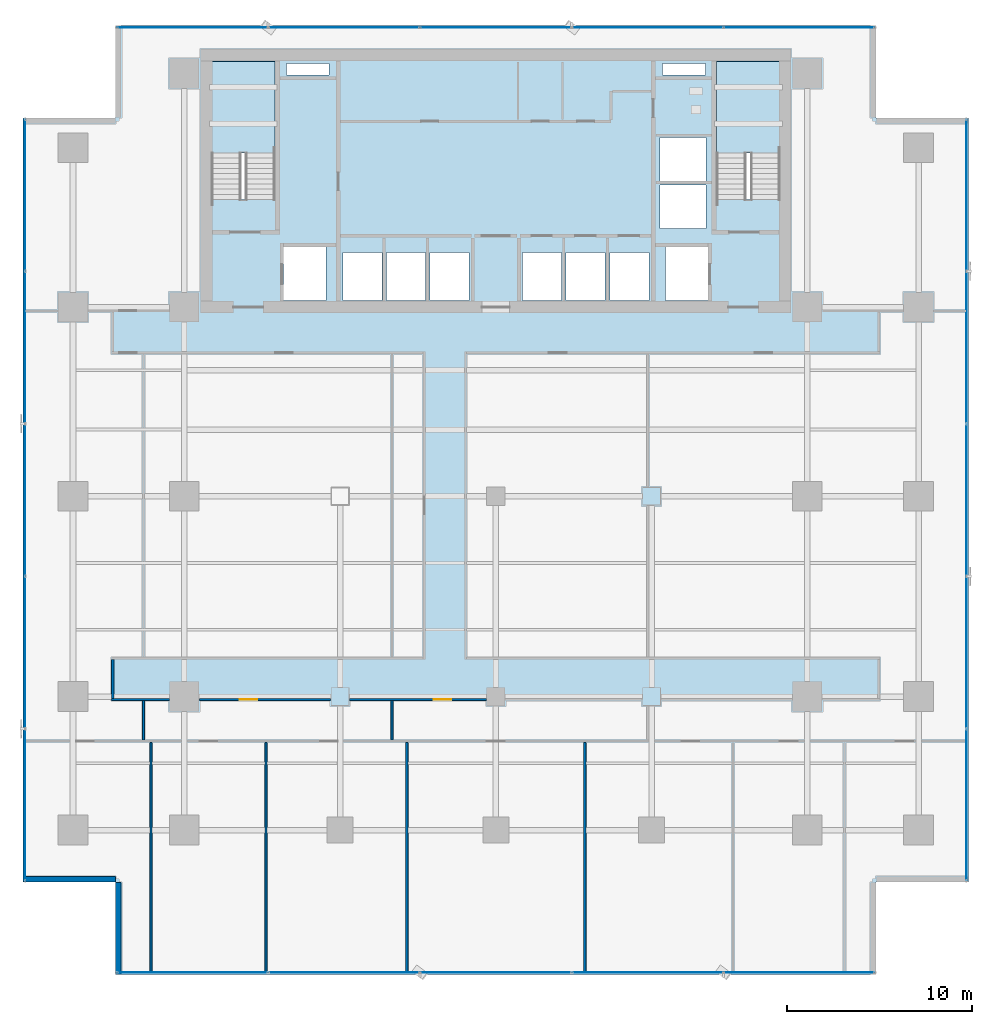
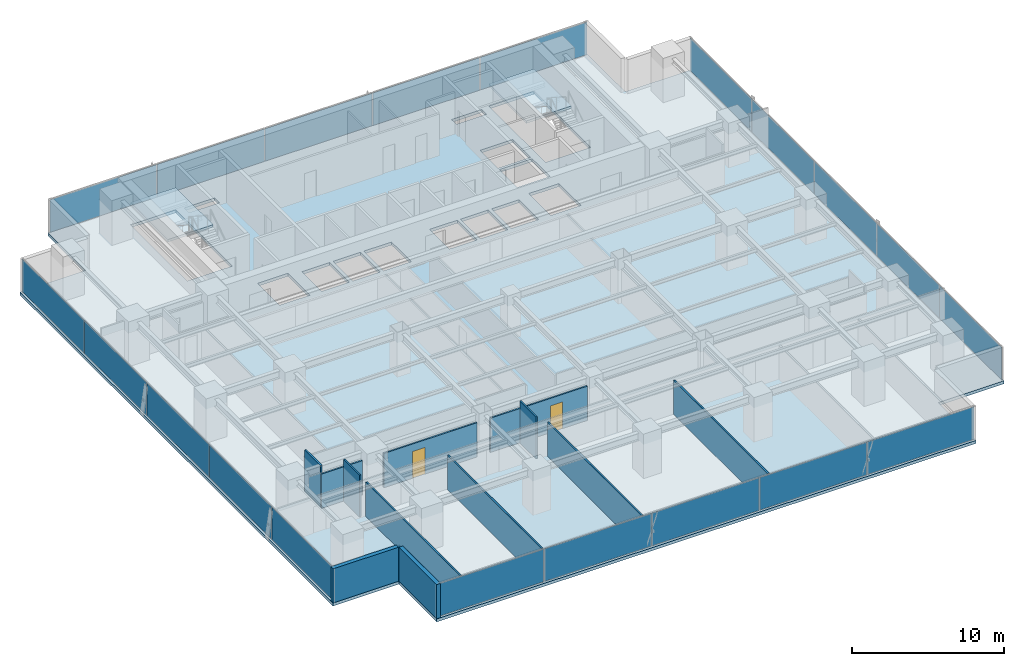
# One storey, part 27 of 37: 20 plates, 12 walls, 3 slabs, 2 doors, 2 openings, 6 elements without a shape of their own.
"""IFC4 building model written with IfcOpenShell, lengths in metres."""

import ifcopenshell
import ifcopenshell.guid

model = None  # the IFC model being written
_history = None  # IfcOwnerHistory: only IFC2X3 demands one
_inside = {}  # id of a spatial element -> (the spatial element, [elements in it])
_under = {}  # id of a project, library or spatial element -> (it, [spatial elements below it])
_declared = {}  # id of a project -> (the project, [libraries it declares])
_typed = {}  # id of a type object -> (the type object, [elements of that type])
_made_of = {}  # id of a material, layer set ... -> (it, [elements and type objects made of it])


def new_model(schema):
    """Start an empty IFC model of exactly this schema.

    Asked for "IFC4X3", IfcOpenShell would pick the latest addendum, in which some entities
    have other attributes; the version numbers below select the first issue.
    IFC2X3 requires an IfcOwnerHistory on every rooted entity: one is made here for all.
    """
    global model, _history
    if schema == "IFC4X3":
        model = ifcopenshell.file(schema_version=(4, 3, 0, 0))
    else:
        model = ifcopenshell.file(schema=schema)
    _inside.clear()
    _under.clear()
    _declared.clear()
    _typed.clear()
    _made_of.clear()
    _history = None
    if model.schema == "IFC2X3":
        org = make("IfcOrganization", Name="unknown")
        user = make(
            "IfcPersonAndOrganization",
            ThePerson=make("IfcPerson", FamilyName="unknown"),
            TheOrganization=org,
        )
        app = make(
            "IfcApplication",
            ApplicationDeveloper=org,
            Version="unknown",
            ApplicationFullName="unknown",
            ApplicationIdentifier="unknown",
        )
        _history = make(
            "IfcOwnerHistory",
            OwningUser=user,
            OwningApplication=app,
            ChangeAction="ADDED",
            CreationDate=0,
        )
    return model


def make(cls, **values):
    """One entity of the class cls with the attributes given. An attribute that is None is left unset."""
    return model.create_entity(
        cls, **{name: value for name, value in values.items() if value is not None}
    )


def rooted(cls, **values):
    """An entity with a GlobalId (a new one), such as an element, a storey or a relation."""
    return make(cls, GlobalId=ifcopenshell.guid.new(), OwnerHistory=_history, **values)


def si_unit(unit_type, name, prefix=None):
    """IfcSIUnit, for example si_unit("LENGTHUNIT", "METRE", prefix="MILLI")."""
    return make("IfcSIUnit", UnitType=unit_type, Prefix=prefix, Name=name)


def assignment(units):
    """IfcUnitAssignment: the units of a project."""
    return None if units is None else make("IfcUnitAssignment", Units=units)


def point(xyz):
    """IfcCartesianPoint."""
    return None if xyz is None else make("IfcCartesianPoint", Coordinates=xyz)


def direction(xyz):
    """IfcDirection."""
    return None if xyz is None else make("IfcDirection", DirectionRatios=xyz)


def frame(location, z_axis=None, x_axis=None):
    """IfcAxis2Placement3D, a coordinate frame: its origin and axes. An axis left out is left unset."""
    return make(
        "IfcAxis2Placement3D",
        Location=point(location),
        Axis=direction(z_axis),
        RefDirection=direction(x_axis),
    )


def frame_2d(location, x_axis=None):
    """IfcAxis2Placement2D, a coordinate frame in the plane: its origin and x axis."""
    return make(
        "IfcAxis2Placement2D", Location=point(location), RefDirection=direction(x_axis)
    )


def origin():
    """The frame at (0, 0, 0) with its axes left unset."""
    return frame((0.0, 0.0, 0.0))


def origin_2d():
    """The frame at (0, 0) in the plane with its x axis left unset."""
    return frame_2d((0.0, 0.0))


def place(relative_to, where):
    """IfcLocalPlacement: puts the frame where relative to a parent placement (None: the world)."""
    return make(
        "IfcLocalPlacement", PlacementRelTo=relative_to, RelativePlacement=where
    )


def context(
    kind, dimensions, precision=None, world=None, true_north=None, identifier=None
):
    """IfcGeometricRepresentationContext, for example the 3D "Model" context."""
    return make(
        "IfcGeometricRepresentationContext",
        ContextIdentifier=identifier,
        ContextType=kind,
        CoordinateSpaceDimension=dimensions,
        Precision=precision,
        WorldCoordinateSystem=world,
        TrueNorth=true_north,
    )


def subcontext(parent, identifier, kind, view, scale=None):
    """IfcGeometricRepresentationSubContext, for example "Body" below "Model"."""
    return make(
        "IfcGeometricRepresentationSubContext",
        ContextIdentifier=identifier,
        ContextType=kind,
        ParentContext=parent,
        TargetScale=scale,
        TargetView=view,
    )


def project(units=None, contexts=None):
    """IfcProject with its units and contexts."""
    return rooted(
        "IfcProject",
        Name="project",
        RepresentationContexts=contexts,
        UnitsInContext=assignment(units),
    )


def spatial(cls, under=None, at=None, **own):
    """A site, building, storey or space (cls), placed at a placement, below another one or the project."""
    s = rooted(cls, ObjectPlacement=at, **own)
    if under is not None:
        _under.setdefault(under.id(), (under, []))[1].append(s)
    return s


def polyline(points):
    """IfcPolyline through the points."""
    return make("IfcPolyline", Points=[point(p) for p in points])


def profile(cls, at=None, kind="AREA", **sizes):
    """A parametric profile (cls). Its sizes go by their IFC names, for example OverallWidth=200.0."""
    return make(cls, ProfileType=kind, Position=at, **sizes)


def rectangle(**sizes):
    """IfcRectangleProfileDef."""
    return profile("IfcRectangleProfileDef", **sizes)


def outline(outer, holes=None, kind="AREA"):
    """IfcArbitraryClosedProfileDef: a profile drawn as a closed curve; with holes, ...WithVoids."""
    if holes is None:
        return make("IfcArbitraryClosedProfileDef", ProfileType=kind, OuterCurve=outer)
    return make(
        "IfcArbitraryProfileDefWithVoids",
        ProfileType=kind,
        OuterCurve=outer,
        InnerCurves=holes,
    )


def extrude(swept, where, along, depth):
    """IfcExtrudedAreaSolid: the profile swept, set in the frame where, extruded along a direction by depth."""
    return make(
        "IfcExtrudedAreaSolid",
        SweptArea=swept,
        Position=where,
        ExtrudedDirection=direction(along),
        Depth=depth,
    )


def shape(context_of_items, identifier, shape_type, items):
    """IfcShapeRepresentation: the items that make up one representation, for example the "Body"."""
    return make(
        "IfcShapeRepresentation",
        ContextOfItems=context_of_items,
        RepresentationIdentifier=identifier,
        RepresentationType=shape_type,
        Items=items,
    )


def source(mapping_origin, context_of_items, identifier, shape_type, items):
    """IfcRepresentationMap: a shape defined once, which mapped items show again and again."""
    return make(
        "IfcRepresentationMap",
        MappingOrigin=mapping_origin,
        MappedRepresentation=shape(context_of_items, identifier, shape_type, items),
    )


def transform(
    local_origin,
    x_axis=None,
    y_axis=None,
    z_axis=None,
    scale=None,
    scale2=None,
    scale3=None,
    uniform=True,
):
    """IfcCartesianTransformationOperator3D, or its non-uniform kind. x_axis, y_axis, z_axis: its Axis1, 2, 3."""
    if uniform:
        return make(
            "IfcCartesianTransformationOperator3D",
            Axis1=direction(x_axis),
            Axis2=direction(y_axis),
            LocalOrigin=point(local_origin),
            Scale=scale,
            Axis3=direction(z_axis),
        )
    return make(
        "IfcCartesianTransformationOperator3DnonUniform",
        Axis1=direction(x_axis),
        Axis2=direction(y_axis),
        LocalOrigin=point(local_origin),
        Scale=scale,
        Axis3=direction(z_axis),
        Scale2=scale2,
        Scale3=scale3,
    )


def mapped(mapping_source, mapping_target):
    """IfcMappedItem: shows the shape of a source again, moved by a transform."""
    return make(
        "IfcMappedItem", MappingSource=mapping_source, MappingTarget=mapping_target
    )


def material(Name=None, Category=None):
    """IfcMaterial."""
    return make("IfcMaterial", Name=Name, Category=Category)


def layer(
    of_material, thickness, ventilated=None, Name=None, Category=None, Priority=None
):
    """IfcMaterialLayer: one layer of a wall or slab, of a material (None: an air gap)."""
    return make(
        "IfcMaterialLayer",
        Material=of_material,
        LayerThickness=thickness,
        IsVentilated=ventilated,
        Name=Name,
        Category=Category,
        Priority=Priority,
    )


def layer_set(layers, Name=None):
    """IfcMaterialLayerSet."""
    return make("IfcMaterialLayerSet", MaterialLayers=layers, LayerSetName=Name)


def made_of(thing, what):
    """Note that an element or type object is made of a material, layer set ...; save() writes the relation."""
    if what is not None:
        _made_of.setdefault(what.id(), (what, []))[1].append(thing)
    return thing


def type_object(cls, material=None, **own):
    """A type object (cls), such as IfcWallType, which elements share."""
    return made_of(rooted(cls, **own), material)


def element(
    cls,
    number,
    at=None,
    inside=None,
    cuts=None,
    type_object=None,
    material=None,
    context=None,
    identifier="Body",
    shape_type=None,
    held_by="IfcProductDefinitionShape",
    body=None,
    shapes=None,
    **own,
):
    """One element of the class cls, such as IfcWall. Its Tag is "e" and its number.

    at: its placement. inside: the storey or other place that contains it. cuts: it is an
    opening in that element (IfcRelVoidsElement). A single representation is given by context,
    identifier, shape_type and body (its items); several are given by shapes. held_by: the class
    of the entity that holds the representations. save() writes the other relations.
    """
    e = rooted(cls, Tag="e%d" % number, ObjectPlacement=at, **own)
    if body is not None:
        shapes = [shape(context, identifier, shape_type, body)]
    if shapes is not None:
        e.Representation = make(held_by, Representations=shapes)
    if inside is not None:
        _inside.setdefault(inside.id(), (inside, []))[1].append(e)
    if cuts is not None:
        rooted(
            "IfcRelVoidsElement", RelatingBuildingElement=cuts, RelatedOpeningElement=e
        )
    if type_object is not None:
        _typed.setdefault(type_object.id(), (type_object, []))[1].append(e)
    return made_of(e, material)


def fill(opening, filler):
    """IfcRelFillsElement: the door or window that sits in an opening."""
    return rooted(
        "IfcRelFillsElement",
        RelatingOpeningElement=opening,
        RelatedBuildingElement=filler,
    )


def aggregate(whole, parts):
    """IfcRelAggregates: a whole, such as a stair, and the parts it consists of."""
    return rooted("IfcRelAggregates", RelatingObject=whole, RelatedObjects=parts)


def save(model, path):
    """Write the relations noted so far, then the file.

    IfcRelAggregates (storeys below a building ...), IfcRelContainedInSpatialStructure (elements
    in a storey), IfcRelDefinesByType, IfcRelAssociatesMaterial and IfcRelDeclares: one each for
    every whole, place, type object, material and project.
    """
    for whole, parts in _under.values():
        aggregate(whole, parts)
    for where, things in _inside.values():
        rooted(
            "IfcRelContainedInSpatialStructure",
            RelatedElements=things,
            RelatingStructure=where,
        )
    for kind, things in _typed.values():
        rooted("IfcRelDefinesByType", RelatedObjects=things, RelatingType=kind)
    for what, things in _made_of.values():
        rooted("IfcRelAssociatesMaterial", RelatedObjects=things, RelatingMaterial=what)
    for by, libraries in _declared.values():
        rooted("IfcRelDeclares", RelatingContext=by, RelatedDefinitions=libraries)
    model.write(path)


model = new_model("IFC4")

# Units and contexts
model_context = context("Model", 3, precision=1e-05, world=origin(), true_north=direction((0.0, 1.0)))
body_context = subcontext(model_context, "Body", "Model", "MODEL_VIEW")
ifc_project = project(units=[si_unit("LENGTHUNIT", "METRE"), si_unit("AREAUNIT", "SQUARE_METRE"), si_unit("VOLUMEUNIT", "CUBIC_METRE"), si_unit("PLANEANGLEUNIT", "RADIAN"), si_unit("MASSUNIT", "GRAM", prefix="KILO")], contexts=[model_context])

# Site, building, storey
site_placement = place(None, origin())
site = spatial("IfcSite", under=ifc_project, at=site_placement, CompositionType="ELEMENT")
building_placement = place(site_placement, origin())
building = spatial("IfcBuilding", under=site, at=building_placement, Name="Sumidabori Civic Tower", CompositionType="ELEMENT")
storey_placement = place(building_placement, frame((0.0, 0.0, 81.199951171875)))
storey = spatial("IfcBuildingStorey", under=building, at=storey_placement, Name="L20", CompositionType="ELEMENT", Elevation=81.199951171875)

# Stair, slab
ifc_material_1 = material(Name="Concrete C40/50", Category="concrete")
stair_type = type_object("IfcStairType", Name="ST-CORE-1600", PredefinedType="HALF_TURN_STAIR", material=ifc_material_1)
stair_1_placement = place(storey_placement, origin())
stair_1 = element("IfcStair", 1, at=stair_1_placement, inside=storey, type_object=stair_type, Name="L20 ST-1", PredefinedType="HALF_TURN_STAIR")
ifc_layer_1 = layer(ifc_material_1, 0.199951171875, Name="Concrete C40/50")
ifc_layer_set_1 = layer_set([ifc_layer_1], Name="Concrete C40/50")
slab_type_1 = type_object("IfcSlabType", Name="SL-LAND-200", PredefinedType="LANDING", material=ifc_layer_set_1)
slab_1_placement = place(storey_placement, frame((0.0, 0.0, 1.60009765625)))
slab_1 = element("IfcSlab", 2, at=slab_1_placement, type_object=slab_type_1, Name="ST-1 landing 1", PredefinedType="LANDING", context=body_context, shape_type="SweptSolid", body=[
    extrude(outline(polyline([(-11.89990234375, 18.52001953125), (-11.89990234375, 23.449951171875), (-15.340087890625, 23.449951171875), (-15.340087890625, 18.52001953125), (-11.89990234375, 18.52001953125)])), origin(), (0.0, 0.0, 1.0), 0.199951171875),
])
aggregate(stair_1, [slab_1])

stair_2_placement = place(storey_placement, origin())
stair_2 = element("IfcStair", 3, at=stair_2_placement, inside=storey, type_object=stair_type, Name="L20 ST-2", PredefinedType="HALF_TURN_STAIR")
slab_2_placement = place(storey_placement, frame((0.0, 0.0, 1.60009765625)))
slab_2 = element("IfcSlab", 4, at=slab_2_placement, type_object=slab_type_1, Name="ST-2 landing 1", PredefinedType="LANDING", context=body_context, shape_type="SweptSolid", body=[
    extrude(outline(polyline([(15.340087890625, 18.52001953125), (15.340087890625, 23.449951171875), (11.89990234375, 23.449951171875), (11.89990234375, 18.52001953125), (15.340087890625, 18.52001953125)])), origin(), (0.0, 0.0, 1.0), 0.199951171875),
])
aggregate(stair_2, [slab_2])

# Slab
ifc_layer_2 = layer(ifc_material_1, 0.239990234375, Name="Concrete C40/50")
ifc_layer_set_2 = layer_set([ifc_layer_2], Name="Concrete C40/50")
slab_type_2 = type_object("IfcSlabType", Name="SL-Z1-240", PredefinedType="FLOOR", material=ifc_layer_set_2)
slab_3_placement = place(storey_placement, frame((0.0, 0.0, -0.239990234375)))
element("IfcSlab", 5, at=slab_3_placement, inside=storey, type_object=slab_type_2, Name="Structural Slab L20", PredefinedType="FLOOR", context=body_context, shape_type="SweptSolid", body=[
    extrude(outline(polyline([(-20.5, -25.800048828125), (20.5, -25.800048828125), (20.5, -20.800048828125), (25.5, -20.800048828125), (25.5, 20.39990234375), (20.5, 20.39990234375), (20.5, 25.39990234375), (-20.5, 25.39990234375), (-20.5, 20.39990234375), (-25.5, 20.39990234375), (-25.5, -20.800048828125), (-20.5, -20.800048828125), (-20.5, -25.800048828125)]), holes=[polyline([(-11.89990234375, 16.0), (-11.89990234375, 23.449951171875), (-15.340087890625, 23.449951171875), (-15.340087890625, 16.0), (-11.89990234375, 16.0)]), polyline([(15.340087890625, 16.0), (15.340087890625, 23.449951171875), (11.89990234375, 23.449951171875), (11.89990234375, 16.0), (15.340087890625, 16.0)]), polyline([(-11.449951171875, 10.550048828125), (-9.14990234375, 10.550048828125), (-9.14990234375, 13.449951171875), (-11.449951171875, 13.449951171875), (-11.449951171875, 10.550048828125)]), polyline([(9.14990234375, 10.550048828125), (11.449951171875, 10.550048828125), (11.449951171875, 13.449951171875), (9.14990234375, 13.449951171875), (9.14990234375, 10.550048828125)]), polyline([(-8.25, 10.550048828125), (-6.14990234375, 10.550048828125), (-6.14990234375, 13.14990234375), (-8.25, 13.14990234375), (-8.25, 10.550048828125)]), polyline([(-5.89990234375, 10.550048828125), (-3.800048828125, 10.550048828125), (-3.800048828125, 13.14990234375), (-5.89990234375, 13.14990234375), (-5.89990234375, 10.550048828125)]), polyline([(-3.550048828125, 10.550048828125), (-1.449951171875, 10.550048828125), (-1.449951171875, 13.14990234375), (-3.550048828125, 13.14990234375), (-3.550048828125, 10.550048828125)]), polyline([(1.449951171875, 10.550048828125), (3.550048828125, 10.550048828125), (3.550048828125, 13.14990234375), (1.449951171875, 13.14990234375), (1.449951171875, 10.550048828125)]), polyline([(3.800048828125, 10.550048828125), (5.89990234375, 10.550048828125), (5.89990234375, 13.14990234375), (3.800048828125, 13.14990234375), (3.800048828125, 10.550048828125)]), polyline([(6.14990234375, 10.550048828125), (8.25, 10.550048828125), (8.25, 13.14990234375), (6.14990234375, 13.14990234375), (6.14990234375, 10.550048828125)]), polyline([(8.85009765625, 14.449951171875), (11.35009765625, 14.449951171875), (11.35009765625, 16.800048828125), (8.85009765625, 16.800048828125), (8.85009765625, 14.449951171875)]), polyline([(8.85009765625, 17.0), (11.35009765625, 17.0), (11.35009765625, 19.35009765625), (8.85009765625, 19.35009765625), (8.85009765625, 17.0)]), polyline([(-11.300048828125, 22.719970703125), (-9.0, 22.719970703125), (-9.0, 23.35009765625), (-11.300048828125, 23.35009765625), (-11.300048828125, 22.719970703125)]), polyline([(9.0, 22.719970703125), (11.300048828125, 22.719970703125), (11.300048828125, 23.35009765625), (9.0, 23.35009765625), (9.0, 22.719970703125)])]), origin(), (0.0, 0.0, 1.0), 0.239990234375),
])

# Curtain wall, plates
ifc_material_2 = material(Name="Anodised Bronze Aluminium AW-6063-T6", Category="aluminium")
ifc_layer_3 = layer(ifc_material_2, 0.179931640625, Name="Anodised Bronze Aluminium AW-6063-T6")
ifc_layer_set_3 = layer_set([ifc_layer_3], Name="Anodised Bronze Aluminium AW-6063-T6")
curtain_wall_type = type_object("IfcCurtainWallType", Name="CW-SYS-3", PredefinedType="NOTDEFINED", material=ifc_layer_set_3)
curtain_wall_1_placement = place(storey_placement, origin())
curtain_wall_1 = element("IfcCurtainWall", 6, at=curtain_wall_1_placement, inside=storey, type_object=curtain_wall_type, Name="Curtain Wall CW:L20:R01", PredefinedType="NOTDEFINED")
ifc_material_3 = material(Name="Low-E Solar-Control Vision Glazing", Category="glass")
ifc_layer_4 = layer(ifc_material_3, 0.028076171875, Name="Low-E Solar-Control Vision Glazing")
ifc_layer_set_4 = layer_set([ifc_layer_4], Name="Low-E Solar-Control Vision Glazing")
plate_type = type_object("IfcPlateType", Name="CW-PNL-28", PredefinedType="CURTAIN_PANEL", material=ifc_layer_set_4)
shared_shape_1 = source(origin(), body_context, "Body", "SweptSolid", [
    extrude(rectangle(XDim=8.090576171875, YDim=0.028076171875, at=origin_2d()), origin(), (0.0, 0.0, 1.0), 2.6201171875),
])
plate_1_placement = place(storey_placement, frame((-16.35986328125, -25.679931640625, 0.06005859375), z_axis=(0.0, 0.0, 1.0), x_axis=(1.0, 0.0, 0.0)))
plate_1 = element("IfcPlate", 7, at=plate_1_placement, type_object=plate_type, Name="CW-3 panel 1.1", PredefinedType="CURTAIN_PANEL", context=body_context, shape_type="MappedRepresentation", body=[
    mapped(shared_shape_1, transform((0.0, 0.0, 0.0), x_axis=(1.0, 0.0, 0.0), y_axis=(0.0, 1.0, 0.0), z_axis=(0.0, 0.0, 1.0), scale=1.0)),
])
plate_2_placement = place(storey_placement, frame((16.35986328125, -25.679931640625, 0.06005859375), z_axis=(0.0, 0.0, 1.0), x_axis=(1.0, 0.0, 0.0)))
plate_2 = element("IfcPlate", 8, at=plate_2_placement, type_object=plate_type, Name="CW-3 panel 5.1", PredefinedType="CURTAIN_PANEL", context=body_context, shape_type="MappedRepresentation", body=[
    mapped(shared_shape_1, transform((0.0, 0.0, 0.0), x_axis=(1.0, 0.0, 0.0), y_axis=(0.0, 1.0, 0.0), z_axis=(0.0, 0.0, 1.0), scale=1.0)),
])

curtain_wall_2_placement = place(storey_placement, origin())
curtain_wall_2 = element("IfcCurtainWall", 9, at=curtain_wall_2_placement, inside=storey, type_object=curtain_wall_type, Name="Curtain Wall CW:L20:R07", PredefinedType="NOTDEFINED")
plate_3_placement = place(storey_placement, frame((16.35986328125, 25.280029296875, 0.06005859375), z_axis=(0.0, 0.0, 1.0), x_axis=(-1.0, 0.0, 0.0)))
plate_3 = element("IfcPlate", 10, at=plate_3_placement, type_object=plate_type, Name="CW-3 panel 1.1", PredefinedType="CURTAIN_PANEL", context=body_context, shape_type="MappedRepresentation", body=[
    mapped(shared_shape_1, transform((0.0, 0.0, 0.0), x_axis=(1.0, 0.0, 0.0), y_axis=(0.0, 1.0, 0.0), z_axis=(0.0, 0.0, 1.0), scale=1.0)),
])
plate_4_placement = place(storey_placement, frame((-16.35986328125, 25.280029296875, 0.06005859375), z_axis=(0.0, 0.0, 1.0), x_axis=(-1.0, 0.0, 0.0)))
plate_4 = element("IfcPlate", 11, at=plate_4_placement, type_object=plate_type, Name="CW-3 panel 5.1", PredefinedType="CURTAIN_PANEL", context=body_context, shape_type="MappedRepresentation", body=[
    mapped(shared_shape_1, transform((0.0, 0.0, 0.0), x_axis=(1.0, 0.0, 0.0), y_axis=(0.0, 1.0, 0.0), z_axis=(0.0, 0.0, 1.0), scale=1.0)),
])

# Plate
shared_shape_2 = source(origin(), body_context, "Body", "SweptSolid", [
    extrude(rectangle(XDim=8.123046875, YDim=0.028076171875, at=origin_2d()), origin(), (0.0, 0.0, 1.0), 2.6201171875),
])
plate_5_placement = place(storey_placement, frame((-8.18798828125, -25.679931640625, 0.06005859375), z_axis=(0.0, 0.0, 1.0), x_axis=(1.0, 0.0, 0.0)))
plate_5 = element("IfcPlate", 12, at=plate_5_placement, type_object=plate_type, Name="CW-3 panel 2.1", PredefinedType="CURTAIN_PANEL", context=body_context, shape_type="MappedRepresentation", body=[
    mapped(shared_shape_2, transform((0.0, 0.0, 0.0), x_axis=(1.0, 0.0, 0.0), y_axis=(0.0, 1.0, 0.0), z_axis=(0.0, 0.0, 1.0), scale=1.0)),
])

plate_6_placement = place(storey_placement, frame((0.0, -25.679931640625, 0.06005859375), z_axis=(0.0, 0.0, 1.0), x_axis=(1.0, 0.0, 0.0)))
plate_6 = element("IfcPlate", 13, at=plate_6_placement, type_object=plate_type, Name="CW-3 panel 3.1", PredefinedType="CURTAIN_PANEL", context=body_context, shape_type="MappedRepresentation", body=[
    mapped(shared_shape_2, transform((0.0, 0.0, 0.0), x_axis=(1.0, 0.0, 0.0), y_axis=(0.0, 1.0, 0.0), z_axis=(0.0, 0.0, 1.0), scale=1.0)),
])

plate_7_placement = place(storey_placement, frame((8.18798828125, -25.679931640625, 0.06005859375), z_axis=(0.0, 0.0, 1.0), x_axis=(1.0, 0.0, 0.0)))
plate_7 = element("IfcPlate", 14, at=plate_7_placement, type_object=plate_type, Name="CW-3 panel 4.1", PredefinedType="CURTAIN_PANEL", context=body_context, shape_type="MappedRepresentation", body=[
    mapped(shared_shape_2, transform((0.0, 0.0, 0.0), x_axis=(1.0, 0.0, 0.0), y_axis=(0.0, 1.0, 0.0), z_axis=(0.0, 0.0, 1.0), scale=1.0)),
])

aggregate(curtain_wall_1, [plate_1, plate_5, plate_6, plate_7, plate_2])

plate_8_placement = place(storey_placement, frame((8.18798828125, 25.280029296875, 0.06005859375), z_axis=(0.0, 0.0, 1.0), x_axis=(-1.0, 0.0, 0.0)))
plate_8 = element("IfcPlate", 15, at=plate_8_placement, type_object=plate_type, Name="CW-3 panel 2.1", PredefinedType="CURTAIN_PANEL", context=body_context, shape_type="MappedRepresentation", body=[
    mapped(shared_shape_2, transform((0.0, 0.0, 0.0), x_axis=(1.0, 0.0, 0.0), y_axis=(0.0, 1.0, 0.0), z_axis=(0.0, 0.0, 1.0), scale=1.0)),
])

plate_9_placement = place(storey_placement, frame((0.0, 25.280029296875, 0.06005859375), z_axis=(0.0, 0.0, 1.0), x_axis=(-1.0, 0.0, 0.0)))
plate_9 = element("IfcPlate", 16, at=plate_9_placement, type_object=plate_type, Name="CW-3 panel 3.1", PredefinedType="CURTAIN_PANEL", context=body_context, shape_type="MappedRepresentation", body=[
    mapped(shared_shape_2, transform((0.0, 0.0, 0.0), x_axis=(1.0, 0.0, 0.0), y_axis=(0.0, 1.0, 0.0), z_axis=(0.0, 0.0, 1.0), scale=1.0)),
])

plate_10_placement = place(storey_placement, frame((-8.18798828125, 25.280029296875, 0.06005859375), z_axis=(0.0, 0.0, 1.0), x_axis=(-1.0, 0.0, 0.0)))
plate_10 = element("IfcPlate", 17, at=plate_10_placement, type_object=plate_type, Name="CW-3 panel 4.1", PredefinedType="CURTAIN_PANEL", context=body_context, shape_type="MappedRepresentation", body=[
    mapped(shared_shape_2, transform((0.0, 0.0, 0.0), x_axis=(1.0, 0.0, 0.0), y_axis=(0.0, 1.0, 0.0), z_axis=(0.0, 0.0, 1.0), scale=1.0)),
])

aggregate(curtain_wall_2, [plate_3, plate_8, plate_9, plate_10, plate_4])

# Curtain wall, plates
curtain_wall_3_placement = place(storey_placement, origin())
curtain_wall_3 = element("IfcCurtainWall", 18, at=curtain_wall_3_placement, inside=storey, type_object=curtain_wall_type, Name="Curtain Wall CW:L20:R04", PredefinedType="NOTDEFINED")
shared_shape_3 = source(origin(), body_context, "Body", "SweptSolid", [
    extrude(rectangle(XDim=8.130615234375, YDim=0.028076171875, at=origin_2d()), origin(), (0.0, 0.0, 1.0), 2.6201171875),
])
plate_11_placement = place(storey_placement, frame((25.3798828125, -16.6396484375, 0.06005859375), z_axis=(0.0, 0.0, 1.0), x_axis=(0.0, 1.0, 0.0)))
plate_11 = element("IfcPlate", 19, at=plate_11_placement, type_object=plate_type, Name="CW-3 panel 1.1", PredefinedType="CURTAIN_PANEL", context=body_context, shape_type="MappedRepresentation", body=[
    mapped(shared_shape_3, transform((0.0, 0.0, 0.0), x_axis=(1.0, 0.0, 0.0), y_axis=(0.0, 1.0, 0.0), z_axis=(0.0, 0.0, 1.0), scale=1.0)),
])
plate_12_placement = place(storey_placement, frame((25.3798828125, 16.23974609375, 0.06005859375), z_axis=(0.0, 0.0, 1.0), x_axis=(0.0, 1.0, 0.0)))
plate_12 = element("IfcPlate", 20, at=plate_12_placement, type_object=plate_type, Name="CW-3 panel 5.1", PredefinedType="CURTAIN_PANEL", context=body_context, shape_type="MappedRepresentation", body=[
    mapped(shared_shape_3, transform((0.0, 0.0, 0.0), x_axis=(1.0, 0.0, 0.0), y_axis=(0.0, 1.0, 0.0), z_axis=(0.0, 0.0, 1.0), scale=1.0)),
])

curtain_wall_4_placement = place(storey_placement, origin())
curtain_wall_4 = element("IfcCurtainWall", 21, at=curtain_wall_4_placement, inside=storey, type_object=curtain_wall_type, Name="Curtain Wall CW:L20:R10", PredefinedType="NOTDEFINED")
plate_13_placement = place(storey_placement, frame((-25.3798828125, 16.23974609375, 0.06005859375), z_axis=(0.0, 0.0, 1.0), x_axis=(0.0, -1.0, 0.0)))
plate_13 = element("IfcPlate", 22, at=plate_13_placement, type_object=plate_type, Name="CW-3 panel 1.1", PredefinedType="CURTAIN_PANEL", context=body_context, shape_type="MappedRepresentation", body=[
    mapped(shared_shape_3, transform((0.0, 0.0, 0.0), x_axis=(1.0, 0.0, 0.0), y_axis=(0.0, 1.0, 0.0), z_axis=(0.0, 0.0, 1.0), scale=1.0)),
])
plate_14_placement = place(storey_placement, frame((-25.3798828125, -16.6396484375, 0.06005859375), z_axis=(0.0, 0.0, 1.0), x_axis=(0.0, -1.0, 0.0)))
plate_14 = element("IfcPlate", 23, at=plate_14_placement, type_object=plate_type, Name="CW-3 panel 5.1", PredefinedType="CURTAIN_PANEL", context=body_context, shape_type="MappedRepresentation", body=[
    mapped(shared_shape_3, transform((0.0, 0.0, 0.0), x_axis=(1.0, 0.0, 0.0), y_axis=(0.0, 1.0, 0.0), z_axis=(0.0, 0.0, 1.0), scale=1.0)),
])

# Plate
shared_shape_4 = source(origin(), body_context, "Body", "SweptSolid", [
    extrude(rectangle(XDim=8.1630859375, YDim=0.028076171875, at=origin_2d()), origin(), (0.0, 0.0, 1.0), 2.6201171875),
])
plate_15_placement = place(storey_placement, frame((25.3798828125, -8.427978515625, 0.06005859375), z_axis=(0.0, 0.0, 1.0), x_axis=(0.0, 1.0, 0.0)))
plate_15 = element("IfcPlate", 24, at=plate_15_placement, type_object=plate_type, Name="CW-3 panel 2.1", PredefinedType="CURTAIN_PANEL", context=body_context, shape_type="MappedRepresentation", body=[
    mapped(shared_shape_4, transform((0.0, 0.0, 0.0), x_axis=(1.0, 0.0, 0.0), y_axis=(0.0, 1.0, 0.0), z_axis=(0.0, 0.0, 1.0), scale=1.0)),
])

plate_16_placement = place(storey_placement, frame((25.3798828125, -0.199951171875, 0.06005859375), z_axis=(0.0, 0.0, 1.0), x_axis=(0.0, 1.0, 0.0)))
plate_16 = element("IfcPlate", 25, at=plate_16_placement, type_object=plate_type, Name="CW-3 panel 3.1", PredefinedType="CURTAIN_PANEL", context=body_context, shape_type="MappedRepresentation", body=[
    mapped(shared_shape_4, transform((0.0, 0.0, 0.0), x_axis=(1.0, 0.0, 0.0), y_axis=(0.0, 1.0, 0.0), z_axis=(0.0, 0.0, 1.0), scale=1.0)),
])

plate_17_placement = place(storey_placement, frame((25.3798828125, 8.028076171875, 0.06005859375), z_axis=(0.0, 0.0, 1.0), x_axis=(0.0, 1.0, 0.0)))
plate_17 = element("IfcPlate", 26, at=plate_17_placement, type_object=plate_type, Name="CW-3 panel 4.1", PredefinedType="CURTAIN_PANEL", context=body_context, shape_type="MappedRepresentation", body=[
    mapped(shared_shape_4, transform((0.0, 0.0, 0.0), x_axis=(1.0, 0.0, 0.0), y_axis=(0.0, 1.0, 0.0), z_axis=(0.0, 0.0, 1.0), scale=1.0)),
])

aggregate(curtain_wall_3, [plate_11, plate_15, plate_16, plate_17, plate_12])

plate_18_placement = place(storey_placement, frame((-25.3798828125, 8.028076171875, 0.06005859375), z_axis=(0.0, 0.0, 1.0), x_axis=(0.0, -1.0, 0.0)))
plate_18 = element("IfcPlate", 27, at=plate_18_placement, type_object=plate_type, Name="CW-3 panel 2.1", PredefinedType="CURTAIN_PANEL", context=body_context, shape_type="MappedRepresentation", body=[
    mapped(shared_shape_4, transform((0.0, 0.0, 0.0), x_axis=(1.0, 0.0, 0.0), y_axis=(0.0, 1.0, 0.0), z_axis=(0.0, 0.0, 1.0), scale=1.0)),
])

plate_19_placement = place(storey_placement, frame((-25.3798828125, -0.199951171875, 0.06005859375), z_axis=(0.0, 0.0, 1.0), x_axis=(0.0, -1.0, 0.0)))
plate_19 = element("IfcPlate", 28, at=plate_19_placement, type_object=plate_type, Name="CW-3 panel 3.1", PredefinedType="CURTAIN_PANEL", context=body_context, shape_type="MappedRepresentation", body=[
    mapped(shared_shape_4, transform((0.0, 0.0, 0.0), x_axis=(1.0, 0.0, 0.0), y_axis=(0.0, 1.0, 0.0), z_axis=(0.0, 0.0, 1.0), scale=1.0)),
])

plate_20_placement = place(storey_placement, frame((-25.3798828125, -8.427978515625, 0.06005859375), z_axis=(0.0, 0.0, 1.0), x_axis=(0.0, -1.0, 0.0)))
plate_20 = element("IfcPlate", 29, at=plate_20_placement, type_object=plate_type, Name="CW-3 panel 4.1", PredefinedType="CURTAIN_PANEL", context=body_context, shape_type="MappedRepresentation", body=[
    mapped(shared_shape_4, transform((0.0, 0.0, 0.0), x_axis=(1.0, 0.0, 0.0), y_axis=(0.0, 1.0, 0.0), z_axis=(0.0, 0.0, 1.0), scale=1.0)),
])

aggregate(curtain_wall_4, [plate_13, plate_18, plate_19, plate_20, plate_14])

# Walls
ifc_material_4 = material(Name="Precast concrete C40/50", Category="concrete")
ifc_layer_5 = layer(ifc_material_4, 0.300048828125, Name="Precast concrete C40/50")
ifc_layer_set_5 = layer_set([ifc_layer_5], Name="Precast concrete C40/50")
wall_type_1 = type_object("IfcWallType", Name="WL-EXT-POD300", PredefinedType="STANDARD", material=ifc_layer_set_5)
shared_shape_5 = source(origin(), body_context, "Body", "SweptSolid", [
    extrude(rectangle(XDim=4.9599609375, YDim=0.300048828125, at=frame_2d((2.47998046875, 0.0))), origin(), (0.0, 0.0, 1.0), 2.739990234375),
])
for number, where, z_axis, x_axis, name in (
    (30, (-25.47998046875, -20.64990234375, 0.0), (0.0, 0.0, 1.0), (1.0, 0.0, 0.0), "Notched Corner Spandrel Band L20-11"),
    (31, (-20.35009765625, -20.820068359375, 0.0), (0.0, 0.0, 1.0), (0.0, -1.0, 0.0), "Notched Corner Spandrel Band L20-12"),
):
    element("IfcWall", number, at=place(storey_placement, frame(where, z_axis=z_axis, x_axis=x_axis)), inside=storey, type_object=wall_type_1, Name=name, PredefinedType="STANDARD", context=body_context, shape_type="MappedRepresentation", body=[
        mapped(shared_shape_5, transform((0.0, 0.0, 0.0), x_axis=(1.0, 0.0, 0.0), y_axis=(0.0, 1.0, 0.0), z_axis=(0.0, 0.0, 1.0), scale=1.0)),
    ])
ifc_material_5 = material(Name="Gypsum Plasterboard Acoustic Partition")
ifc_layer_6 = layer(ifc_material_5, 0.1201171875, Name="Gypsum Plasterboard Acoustic Partition")
ifc_layer_set_6 = layer_set([ifc_layer_6], Name="Gypsum Plasterboard Acoustic Partition")
wall_type_2 = type_object("IfcWallType", Name="WL-PART-120", PredefinedType="PARTITIONING", material=ifc_layer_set_6)
shared_shape_6 = source(origin(), body_context, "Body", "SweptSolid", [
    extrude(rectangle(XDim=3.10986328125, YDim=0.1201171875, at=frame_2d((1.554931640625, 0.0))), origin(), (0.0, 0.0, 1.0), 2.7451171875),
])
wall_1_placement = place(storey_placement, frame((-20.719970703125, -10.9599609375, 0.0), z_axis=(0.0, 0.0, 1.0), x_axis=(1.0, 0.0, 0.0)))
element("IfcWall", 32, at=wall_1_placement, inside=storey, type_object=wall_type_2, Name="Interior Partition WL:L20:CORR-SS-1", PredefinedType="PARTITIONING", context=body_context, shape_type="MappedRepresentation", body=[
    mapped(shared_shape_6, transform((0.0, 0.0, 0.0), x_axis=(1.0, 0.0, 0.0), y_axis=(0.0, 1.0, 0.0), z_axis=(0.0, 0.0, 1.0), scale=1.0)),
])

# Wall, opening, door
shared_shape_7 = source(origin(), body_context, "Body", "SweptSolid", [
    extrude(rectangle(XDim=7.080078125, YDim=0.1201171875, at=frame_2d((3.5400390625, 0.0))), origin(), (0.0, 0.0, 1.0), 2.7451171875),
])
wall_2_placement = place(storey_placement, frame((-15.989990234375, -10.9599609375, 0.0), z_axis=(0.0, 0.0, 1.0), x_axis=(1.0, 0.0, 0.0)))
wall_2 = element("IfcWall", 33, at=wall_2_placement, inside=storey, type_object=wall_type_2, Name="Interior Partition WL:L20:CORR-SS-2", PredefinedType="PARTITIONING", context=body_context, shape_type="MappedRepresentation", body=[
    mapped(shared_shape_7, transform((0.0, 0.0, 0.0), x_axis=(1.0, 0.0, 0.0), y_axis=(0.0, 1.0, 0.0), z_axis=(0.0, 0.0, 1.0), scale=1.0)),
])
opening_1_placement = place(wall_2_placement, frame((2.18505859375, 0.0, 0.0)))
opening_1 = element("IfcOpeningElement", 34, at=opening_1_placement, cuts=wall_2, Name="Opening DR-2", PredefinedType="OPENING", context=body_context, shape_type="SweptSolid", body=[
    extrude(rectangle(XDim=0.949951171875, YDim=2.14990234375, at=frame_2d((0.47509765625, 1.074951171875))), frame((0.0, 0.072021484375, 0.0), z_axis=(0.0, -1.0, 0.0), x_axis=(1.0, 0.0, 0.0)), (0.0, 0.0, 1.0), 0.14404296875),
])
ifc_material_6 = material(Name="Japanese Hinoki Timber", Category="wood")
door_type = type_object("IfcDoorType", Name="DR-INT-950", OperationType="NOTDEFINED", PredefinedType="DOOR", material=ifc_material_6)
shared_shape_8 = source(origin(), body_context, "Body", "SweptSolid", [
    extrude(rectangle(XDim=0.949951171875, YDim=2.14990234375, at=frame_2d((0.47509765625, 1.074951171875))), frame((0.0, 0.02490234375, 0.0), z_axis=(0.0, -1.0, 0.0), x_axis=(1.0, 0.0, 0.0)), (0.0, 0.0, 1.0), 0.050048828125),
])
door_1_placement = place(opening_1_placement, origin())
door_1 = element("IfcDoor", 35, at=door_1_placement, inside=storey, type_object=door_type, Name="Door DR:L20:D07", OperationType="SINGLE_SWING_LEFT", OverallHeight=2.14990234375, OverallWidth=0.949951171875, PredefinedType="DOOR", context=body_context, shape_type="MappedRepresentation", body=[
    mapped(shared_shape_8, transform((0.0, 0.0, 0.0), x_axis=(1.0, 0.0, 0.0), y_axis=(0.0, 1.0, 0.0), z_axis=(0.0, 0.0, 1.0), scale=1.0)),
])
fill(opening_1, door_1)

shared_shape_9 = source(origin(), body_context, "Body", "SweptSolid", [
    extrude(rectangle(XDim=7.3798828125, YDim=0.1201171875, at=frame_2d((3.68994140625, 0.0))), origin(), (0.0, 0.0, 1.0), 2.7451171875),
])
wall_3_placement = place(storey_placement, frame((-7.889892578125, -10.9599609375, 0.0), z_axis=(0.0, 0.0, 1.0), x_axis=(1.0, 0.0, 0.0)))
wall_3 = element("IfcWall", 36, at=wall_3_placement, inside=storey, type_object=wall_type_2, Name="Interior Partition WL:L20:CORR-SS-3", PredefinedType="PARTITIONING", context=body_context, shape_type="MappedRepresentation", body=[
    mapped(shared_shape_9, transform((0.0, 0.0, 0.0), x_axis=(1.0, 0.0, 0.0), y_axis=(0.0, 1.0, 0.0), z_axis=(0.0, 0.0, 1.0), scale=1.0)),
])
opening_2_placement = place(wall_3_placement, frame((4.550048828125, 0.0, 0.0)))
opening_2 = element("IfcOpeningElement", 37, at=opening_2_placement, cuts=wall_3, Name="Opening DR-2", PredefinedType="OPENING", context=body_context, shape_type="SweptSolid", body=[
    extrude(rectangle(XDim=0.949951171875, YDim=2.14990234375, at=frame_2d((0.47509765625, 1.074951171875))), frame((0.0, 0.072021484375, 0.0), z_axis=(0.0, -1.0, 0.0), x_axis=(1.0, 0.0, 0.0)), (0.0, 0.0, 1.0), 0.14404296875),
])
door_2_placement = place(opening_2_placement, origin())
door_2 = element("IfcDoor", 38, at=door_2_placement, inside=storey, type_object=door_type, Name="Door DR:L20:D08", OperationType="SINGLE_SWING_RIGHT", OverallHeight=2.14990234375, OverallWidth=0.949951171875, PredefinedType="DOOR", context=body_context, shape_type="MappedRepresentation", body=[
    mapped(shared_shape_8, transform((0.0, 0.0, 0.0), x_axis=(1.0, 0.0, 0.0), y_axis=(0.0, 1.0, 0.0), z_axis=(0.0, 0.0, 1.0), scale=1.0)),
])
fill(opening_2, door_2)

# Walls
shared_shape_10 = source(origin(), body_context, "Body", "SweptSolid", [
    extrude(rectangle(XDim=2.090087890625, YDim=0.1201171875, at=frame_2d((1.044921875, 0.0))), origin(), (0.0, 0.0, 1.0), 3.360107421875),
])
wall_4_placement = place(storey_placement, frame((-20.659912109375, -10.89501953125, 0.0), z_axis=(0.0, 0.0, 1.0), x_axis=(0.0, 1.0, 0.0)))
element("IfcWall", 39, at=wall_4_placement, inside=storey, type_object=wall_type_2, Name="Interior Partition WL:L20:CORR-VSW", PredefinedType="PARTITIONING", context=body_context, shape_type="MappedRepresentation", body=[
    mapped(shared_shape_10, transform((0.0, 0.0, 0.0), x_axis=(1.0, 0.0, 0.0), y_axis=(0.0, 1.0, 0.0), z_axis=(0.0, 0.0, 1.0), scale=1.0)),
])
shared_shape_11 = source(origin(), body_context, "Body", "SweptSolid", [
    extrude(rectangle(XDim=2.110107421875, YDim=0.1201171875, at=frame_2d((1.05517578125, 0.0))), origin(), (0.0, 0.0, 1.0), 3.360107421875),
])
for number, where, z_axis, x_axis, name in (
    (40, (-19.0, -13.135009765625, 0.0), (0.0, 0.0, 1.0), (0.0, 1.0, 0.0), "Interior Partition WL:L20:VX-N1-1"),
    (41, (-5.60009765625, -13.135009765625, 0.0), (0.0, 0.0, 1.0), (0.0, 1.0, 0.0), "Interior Partition WL:L20:VX-N2-1"),
):
    element("IfcWall", number, at=place(storey_placement, frame(where, z_axis=z_axis, x_axis=x_axis)), inside=storey, type_object=wall_type_2, Name=name, PredefinedType="PARTITIONING", context=body_context, shape_type="MappedRepresentation", body=[
        mapped(shared_shape_11, transform((0.0, 0.0, 0.0), x_axis=(1.0, 0.0, 0.0), y_axis=(0.0, 1.0, 0.0), z_axis=(0.0, 0.0, 1.0), scale=1.0)),
    ])
shared_shape_12 = source(origin(), body_context, "Body", "SweptSolid", [
    extrude(rectangle(XDim=12.385009765625, YDim=0.1201171875, at=frame_2d((6.1923828125, 0.0))), origin(), (0.0, 0.0, 1.0), 2.7451171875),
])
for number, where, z_axis, x_axis, name in (
    (42, (-18.60009765625, -25.64990234375, 0.0), (0.0, 0.0, 1.0), (0.0, 1.0, 0.0), "Interior Partition WL:L20:VX-S1"),
    (43, (-12.39990234375, -25.64990234375, 0.0), (0.0, 0.0, 1.0), (0.0, 1.0, 0.0), "Interior Partition WL:L20:VX-S2"),
    (44, (-4.800048828125, -25.64990234375, 0.0), (0.0, 0.0, 1.0), (0.0, 1.0, 0.0), "Interior Partition WL:L20:VX-S3"),
    (45, (4.800048828125, -25.64990234375, 0.0), (0.0, 0.0, 1.0), (0.0, 1.0, 0.0), "Interior Partition WL:L20:VX-S4"),
):
    element("IfcWall", number, at=place(storey_placement, frame(where, z_axis=z_axis, x_axis=x_axis)), inside=storey, type_object=wall_type_2, Name=name, PredefinedType="PARTITIONING", context=body_context, shape_type="MappedRepresentation", body=[
        mapped(shared_shape_12, transform((0.0, 0.0, 0.0), x_axis=(1.0, 0.0, 0.0), y_axis=(0.0, 1.0, 0.0), z_axis=(0.0, 0.0, 1.0), scale=1.0)),
    ])

save(model, "model.ifc")
